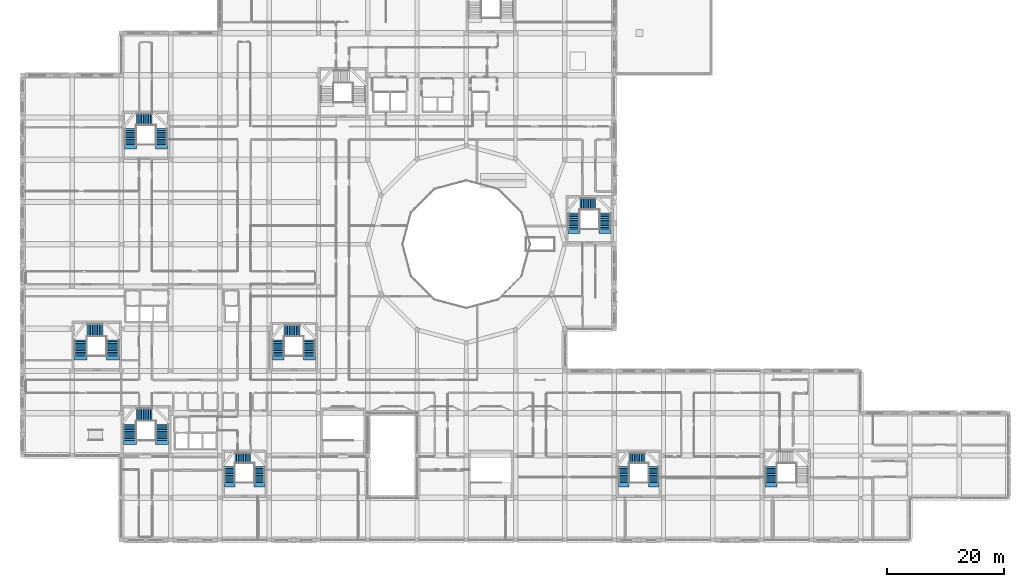
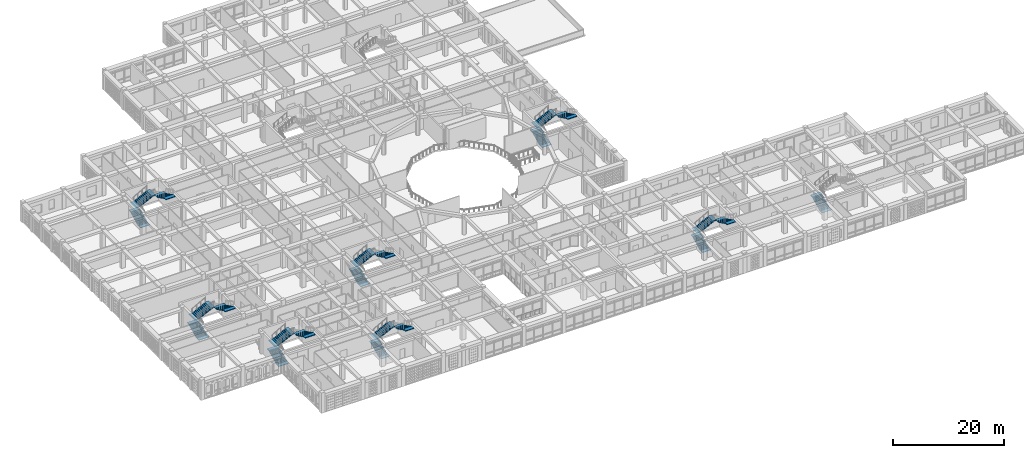
# One storey, part 88 of 121: 22 stair flights, 8 elements without a shape of their own.
"""IFC4 building model written with IfcOpenShell, lengths in metres."""

from ifc_helpers import new_model, si_unit, derived_unit, direction, frame, origin, place, context, subcontext, project, spatial, polyline, outline, extrude, material, type_object, element, aggregate, save


model = new_model("IFC4")

# Units and contexts
model_context = context("Model", 3, precision=1e-05, world=origin(), true_north=direction((0.0, 1.0)))
body_context = subcontext(model_context, "Body", "Model", "MODEL_VIEW")
ifc_project = project(units=[si_unit("LENGTHUNIT", "METRE"), si_unit("AREAUNIT", "SQUARE_METRE"), si_unit("VOLUMEUNIT", "CUBIC_METRE"), si_unit("PLANEANGLEUNIT", "RADIAN"), si_unit("MASSUNIT", "GRAM", prefix="KILO"), derived_unit("THERMALTRANSMITTANCEUNIT", [(si_unit("POWERUNIT", "WATT"), 1), (si_unit("LENGTHUNIT", "METRE"), -2), (si_unit("THERMODYNAMICTEMPERATUREUNIT", "KELVIN"), -1)])], contexts=[model_context])

# Site, building, storey
site_placement = place(None, origin())
site = spatial("IfcSite", under=ifc_project, at=site_placement, CompositionType="ELEMENT")
building_placement = place(site_placement, origin())
building = spatial("IfcBuilding", under=site, at=building_placement, Name="Veybourne Emporium", CompositionType="ELEMENT")
storey_placement = place(building_placement, frame((0.0, 0.0, 5.39990234375)))
storey = spatial("IfcBuildingStorey", under=building, at=storey_placement, Name="L01", CompositionType="ELEMENT", Elevation=5.39990234375)

# Stair, stair flights
ifc_material = material(Name="Concrete C32/40", Category="concrete")
stair_type_1 = type_object("IfcStairType", Name="Stair_ST-11-R30", PredefinedType="HALF_TURN_STAIR", material=ifc_material)
stair_1_placement = place(storey_placement, origin())
stair_1 = element("IfcStair", 1, at=stair_1_placement, inside=storey, type_object=stair_type_1, Name="L01 stair ST-11", PredefinedType="HALF_TURN_STAIR")
stair_flight_type_1 = type_object("IfcStairFlightType", Name="Flight_FL-1800-R10", PredefinedType="STRAIGHT", material=ifc_material)
stair_flight_1_placement = place(storey_placement, frame((102.449951171875, 9.800048828125, 0.0), z_axis=(0.0, 0.0, 1.0), x_axis=(0.0, 1.0, 0.0)))
stair_flight_1 = element("IfcStairFlight", 2, at=stair_flight_1_placement, type_object=stair_flight_type_1, Name="ST-11-R30 flight 1", NumberOfRisers=10, NumberOfTreads=9, PredefinedType="STRAIGHT", RiserHeight=0.15, TreadLength=0.3, context=body_context, shape_type="SweptSolid", body=[
    extrude(outline(polyline([(-0.75, 0.0), (-0.75, 0.080078125), (-0.375, 0.080078125), (0.0, 0.080078125), (0.0, 0.14990234375), (0.300048828125, 0.14990234375), (0.300048828125, 0.300048828125), (0.60009765625, 0.300048828125), (0.60009765625, 0.449951171875), (0.89990234375, 0.449951171875), (0.89990234375, 0.60009765625), (1.199951171875, 0.60009765625), (1.199951171875, 0.75), (1.5, 0.75), (1.5, 0.89990234375), (1.800048828125, 0.89990234375), (1.800048828125, 1.050048828125), (2.10009765625, 1.050048828125), (2.10009765625, 1.199951171875), (2.39990234375, 1.199951171875), (2.39990234375, 1.35009765625), (2.699951171875, 1.35009765625), (2.699951171875, 1.5), (3.074951171875, 1.5), (3.449951171875, 1.5), (3.449951171875, 1.340087890625), (3.074951171875, 1.340087890625), (2.699951171875, 1.171142578125), (0.357666015625, 0.0), (-0.75, 0.0)])), frame((0.0, 0.89990234375, 0.0), z_axis=(0.0, -1.0, 0.0), x_axis=(1.0, 0.0, 0.0)), (0.0, 0.0, 1.0), 1.800048828125),
])
stair_flight_2_placement = place(storey_placement, frame((103.35009765625, 14.0, 1.5), z_axis=(0.0, 0.0, 1.0), x_axis=(1.0, 0.0, 0.0)))
stair_flight_2 = element("IfcStairFlight", 3, at=stair_flight_2_placement, type_object=stair_flight_type_1, Name="ST-11-R30 flight 2", NumberOfRisers=10, NumberOfTreads=9, PredefinedType="STRAIGHT", RiserHeight=0.15, TreadLength=0.3, context=body_context, shape_type="SweptSolid", body=[
    extrude(outline(polyline([(-0.75, 0.0), (-0.75, 0.080078125), (-0.375, 0.080078125), (0.0, 0.080078125), (0.0, 0.14990234375), (0.300048828125, 0.14990234375), (0.300048828125, 0.300048828125), (0.60009765625, 0.300048828125), (0.60009765625, 0.449951171875), (0.89990234375, 0.449951171875), (0.89990234375, 0.60009765625), (1.199951171875, 0.60009765625), (1.199951171875, 0.75), (1.5, 0.75), (1.5, 0.89990234375), (1.800048828125, 0.89990234375), (1.800048828125, 1.050048828125), (2.10009765625, 1.050048828125), (2.10009765625, 1.199951171875), (2.39990234375, 1.199951171875), (2.39990234375, 1.35009765625), (2.699951171875, 1.35009765625), (2.699951171875, 1.5), (3.074951171875, 1.5), (3.449951171875, 1.5), (3.449951171875, 1.340087890625), (3.074951171875, 1.340087890625), (2.699951171875, 1.171142578125), (0.357666015625, 0.0), (-0.75, 0.0)])), frame((0.0, 0.89990234375, 0.0), z_axis=(0.0, -1.0, 0.0), x_axis=(1.0, 0.0, 0.0)), (0.0, 0.0, 1.0), 1.800048828125),
])
stair_flight_3_placement = place(storey_placement, frame((107.550048828125, 12.5, 3.0), z_axis=(0.0, 0.0, 1.0), x_axis=(0.0, -1.0, 0.0)))
stair_flight_3 = element("IfcStairFlight", 4, at=stair_flight_3_placement, type_object=stair_flight_type_1, Name="ST-11-R30 flight 3", NumberOfRisers=10, NumberOfTreads=9, PredefinedType="STRAIGHT", RiserHeight=0.15, TreadLength=0.3, context=body_context, shape_type="SweptSolid", body=[
    extrude(outline(polyline([(-0.75, 0.0), (-0.75, 0.080078125), (-0.375, 0.080078125), (0.0, 0.080078125), (0.0, 0.14990234375), (0.300048828125, 0.14990234375), (0.300048828125, 0.300048828125), (0.60009765625, 0.300048828125), (0.60009765625, 0.449951171875), (0.89990234375, 0.449951171875), (0.89990234375, 0.60009765625), (1.199951171875, 0.60009765625), (1.199951171875, 0.75), (1.5, 0.75), (1.5, 0.89990234375), (1.800048828125, 0.89990234375), (1.800048828125, 1.050048828125), (2.10009765625, 1.050048828125), (2.10009765625, 1.199951171875), (2.39990234375, 1.199951171875), (2.39990234375, 1.35009765625), (2.699951171875, 1.35009765625), (2.699951171875, 1.5), (3.074951171875, 1.5), (3.449951171875, 1.5), (3.449951171875, 1.340087890625), (3.074951171875, 1.340087890625), (2.699951171875, 1.171142578125), (0.357666015625, 0.0), (-0.75, 0.0)])), frame((0.0, 0.89990234375, 0.0), z_axis=(0.0, -1.0, 0.0), x_axis=(1.0, 0.0, 0.0)), (0.0, 0.0, 1.0), 1.800048828125),
])
aggregate(stair_1, [stair_flight_1, stair_flight_2, stair_flight_3])

stair_type_2 = type_object("IfcStairType", Name="Stair_ST-12-R30", PredefinedType="HALF_TURN_STAIR", material=ifc_material)
stair_2_placement = place(storey_placement, origin())
stair_2 = element("IfcStair", 5, at=stair_2_placement, inside=storey, type_object=stair_type_2, Name="L01 stair ST-12", PredefinedType="HALF_TURN_STAIR")
stair_flight_4_placement = place(storey_placement, frame((35.25, 9.800048828125, 0.0), z_axis=(0.0, 0.0, 1.0), x_axis=(0.0, 1.0, 0.0)))
stair_flight_4 = element("IfcStairFlight", 6, at=stair_flight_4_placement, type_object=stair_flight_type_1, Name="ST-12-R30 flight 1", NumberOfRisers=10, NumberOfTreads=9, PredefinedType="STRAIGHT", RiserHeight=0.15, TreadLength=0.3, context=body_context, shape_type="SweptSolid", body=[
    extrude(outline(polyline([(-0.75, 0.0), (-0.75, 0.080078125), (-0.375, 0.080078125), (0.0, 0.080078125), (0.0, 0.14990234375), (0.300048828125, 0.14990234375), (0.300048828125, 0.300048828125), (0.60009765625, 0.300048828125), (0.60009765625, 0.449951171875), (0.89990234375, 0.449951171875), (0.89990234375, 0.60009765625), (1.199951171875, 0.60009765625), (1.199951171875, 0.75), (1.5, 0.75), (1.5, 0.89990234375), (1.800048828125, 0.89990234375), (1.800048828125, 1.050048828125), (2.10009765625, 1.050048828125), (2.10009765625, 1.199951171875), (2.39990234375, 1.199951171875), (2.39990234375, 1.35009765625), (2.699951171875, 1.35009765625), (2.699951171875, 1.5), (3.074951171875, 1.5), (3.449951171875, 1.5), (3.449951171875, 1.340087890625), (3.074951171875, 1.340087890625), (2.699951171875, 1.171142578125), (0.357666015625, 0.0), (-0.75, 0.0)])), frame((0.0, 0.89990234375, 0.0), z_axis=(0.0, -1.0, 0.0), x_axis=(1.0, 0.0, 0.0)), (0.0, 0.0, 1.0), 1.800048828125),
])
stair_flight_5_placement = place(storey_placement, frame((36.14990234375, 14.0, 1.5), z_axis=(0.0, 0.0, 1.0), x_axis=(1.0, 0.0, 0.0)))
stair_flight_5 = element("IfcStairFlight", 7, at=stair_flight_5_placement, type_object=stair_flight_type_1, Name="ST-12-R30 flight 2", NumberOfRisers=10, NumberOfTreads=9, PredefinedType="STRAIGHT", RiserHeight=0.15, TreadLength=0.3, context=body_context, shape_type="SweptSolid", body=[
    extrude(outline(polyline([(-0.75, 0.0), (-0.75, 0.080078125), (-0.375, 0.080078125), (0.0, 0.080078125), (0.0, 0.14990234375), (0.300048828125, 0.14990234375), (0.300048828125, 0.300048828125), (0.60009765625, 0.300048828125), (0.60009765625, 0.449951171875), (0.89990234375, 0.449951171875), (0.89990234375, 0.60009765625), (1.199951171875, 0.60009765625), (1.199951171875, 0.75), (1.5, 0.75), (1.5, 0.89990234375), (1.800048828125, 0.89990234375), (1.800048828125, 1.050048828125), (2.10009765625, 1.050048828125), (2.10009765625, 1.199951171875), (2.39990234375, 1.199951171875), (2.39990234375, 1.35009765625), (2.699951171875, 1.35009765625), (2.699951171875, 1.5), (3.074951171875, 1.5), (3.449951171875, 1.5), (3.449951171875, 1.340087890625), (3.074951171875, 1.340087890625), (2.699951171875, 1.171142578125), (0.357666015625, 0.0), (-0.75, 0.0)])), frame((0.0, 0.89990234375, 0.0), z_axis=(0.0, -1.0, 0.0), x_axis=(1.0, 0.0, 0.0)), (0.0, 0.0, 1.0), 1.800048828125),
])
stair_flight_6_placement = place(storey_placement, frame((40.35009765625, 12.5, 3.0), z_axis=(0.0, 0.0, 1.0), x_axis=(0.0, -1.0, 0.0)))
stair_flight_6 = element("IfcStairFlight", 8, at=stair_flight_6_placement, type_object=stair_flight_type_1, Name="ST-12-R30 flight 3", NumberOfRisers=10, NumberOfTreads=9, PredefinedType="STRAIGHT", RiserHeight=0.15, TreadLength=0.3, context=body_context, shape_type="SweptSolid", body=[
    extrude(outline(polyline([(-0.75, 0.0), (-0.75, 0.080078125), (-0.375, 0.080078125), (0.0, 0.080078125), (0.0, 0.14990234375), (0.300048828125, 0.14990234375), (0.300048828125, 0.300048828125), (0.60009765625, 0.300048828125), (0.60009765625, 0.449951171875), (0.89990234375, 0.449951171875), (0.89990234375, 0.60009765625), (1.199951171875, 0.60009765625), (1.199951171875, 0.75), (1.5, 0.75), (1.5, 0.89990234375), (1.800048828125, 0.89990234375), (1.800048828125, 1.050048828125), (2.10009765625, 1.050048828125), (2.10009765625, 1.199951171875), (2.39990234375, 1.199951171875), (2.39990234375, 1.35009765625), (2.699951171875, 1.35009765625), (2.699951171875, 1.5), (3.074951171875, 1.5), (3.449951171875, 1.5), (3.449951171875, 1.340087890625), (3.074951171875, 1.340087890625), (2.699951171875, 1.171142578125), (0.357666015625, 0.0), (-0.75, 0.0)])), frame((0.0, 0.89990234375, 0.0), z_axis=(0.0, -1.0, 0.0), x_axis=(1.0, 0.0, 0.0)), (0.0, 0.0, 1.0), 1.800048828125),
])
aggregate(stair_2, [stair_flight_4, stair_flight_5, stair_flight_6])

stair_type_3 = type_object("IfcStairType", Name="Stair_ST-05-R30", PredefinedType="TWO_QUARTER_TURN_STAIR", material=ifc_material)
stair_3_placement = place(storey_placement, origin())
stair_3 = element("IfcStair", 9, at=stair_3_placement, inside=storey, type_object=stair_type_3, Name="L01 stair ST-05", PredefinedType="TWO_QUARTER_TURN_STAIR")
stair_flight_type_2 = type_object("IfcStairFlightType", Name="Flight_FL-2000-R10", PredefinedType="STRAIGHT", material=ifc_material)
stair_flight_7_placement = place(storey_placement, frame((43.550048828125, 31.39990234375, 0.0), z_axis=(0.0, 0.0, 1.0), x_axis=(0.0, 1.0, 0.0)))
stair_flight_7 = element("IfcStairFlight", 10, at=stair_flight_7_placement, type_object=stair_flight_type_2, Name="ST-05-R30 flight 1", NumberOfRisers=10, NumberOfTreads=9, PredefinedType="STRAIGHT", RiserHeight=0.15, TreadLength=0.3, context=body_context, shape_type="SweptSolid", body=[
    extrude(outline(polyline([(-0.75, 0.0), (-0.75, 0.080078125), (-0.375, 0.080078125), (0.0, 0.080078125), (0.0, 0.14990234375), (0.300048828125, 0.14990234375), (0.300048828125, 0.300048828125), (0.60009765625, 0.300048828125), (0.60009765625, 0.449951171875), (0.89990234375, 0.449951171875), (0.89990234375, 0.60009765625), (1.199951171875, 0.60009765625), (1.199951171875, 0.75), (1.5, 0.75), (1.5, 0.89990234375), (1.800048828125, 0.89990234375), (1.800048828125, 1.050048828125), (2.10009765625, 1.050048828125), (2.10009765625, 1.199951171875), (2.39990234375, 1.199951171875), (2.39990234375, 1.35009765625), (2.699951171875, 1.35009765625), (2.699951171875, 1.5), (3.074951171875, 1.5), (3.449951171875, 1.5), (3.449951171875, 1.340087890625), (3.074951171875, 1.340087890625), (2.699951171875, 1.171142578125), (0.357666015625, 0.0), (-0.75, 0.0)])), frame((0.0, 1.0, 0.0), z_axis=(0.0, -1.0, 0.0), x_axis=(1.0, 0.0, 0.0)), (0.0, 0.0, 1.0), 2.0),
])
stair_flight_8_placement = place(storey_placement, frame((44.550048828125, 35.699951171875, 1.5), z_axis=(0.0, 0.0, 1.0), x_axis=(1.0, 0.0, 0.0)))
stair_flight_8 = element("IfcStairFlight", 11, at=stair_flight_8_placement, type_object=stair_flight_type_2, Name="ST-05-R30 flight 2", NumberOfRisers=10, NumberOfTreads=9, PredefinedType="STRAIGHT", RiserHeight=0.15, TreadLength=0.3, context=body_context, shape_type="SweptSolid", body=[
    extrude(outline(polyline([(-0.75, 0.0), (-0.75, 0.080078125), (-0.375, 0.080078125), (0.0, 0.080078125), (0.0, 0.14990234375), (0.300048828125, 0.14990234375), (0.300048828125, 0.300048828125), (0.60009765625, 0.300048828125), (0.60009765625, 0.449951171875), (0.89990234375, 0.449951171875), (0.89990234375, 0.60009765625), (1.199951171875, 0.60009765625), (1.199951171875, 0.75), (1.5, 0.75), (1.5, 0.89990234375), (1.800048828125, 0.89990234375), (1.800048828125, 1.050048828125), (2.10009765625, 1.050048828125), (2.10009765625, 1.199951171875), (2.39990234375, 1.199951171875), (2.39990234375, 1.35009765625), (2.699951171875, 1.35009765625), (2.699951171875, 1.5), (3.074951171875, 1.5), (3.449951171875, 1.5), (3.449951171875, 1.340087890625), (3.074951171875, 1.340087890625), (2.699951171875, 1.171142578125), (0.357666015625, 0.0), (-0.75, 0.0)])), frame((0.0, 1.0, 0.0), z_axis=(0.0, -1.0, 0.0), x_axis=(1.0, 0.0, 0.0)), (0.0, 0.0, 1.0), 2.0),
])
stair_flight_9_placement = place(storey_placement, frame((48.85009765625, 34.10009765625, 3.0), z_axis=(0.0, 0.0, 1.0), x_axis=(0.0, -1.0, 0.0)))
stair_flight_9 = element("IfcStairFlight", 12, at=stair_flight_9_placement, type_object=stair_flight_type_2, Name="ST-05-R30 flight 3", NumberOfRisers=10, NumberOfTreads=9, PredefinedType="STRAIGHT", RiserHeight=0.15, TreadLength=0.3, context=body_context, shape_type="SweptSolid", body=[
    extrude(outline(polyline([(-0.75, 0.0), (-0.75, 0.080078125), (-0.375, 0.080078125), (0.0, 0.080078125), (0.0, 0.14990234375), (0.300048828125, 0.14990234375), (0.300048828125, 0.300048828125), (0.60009765625, 0.300048828125), (0.60009765625, 0.449951171875), (0.89990234375, 0.449951171875), (0.89990234375, 0.60009765625), (1.199951171875, 0.60009765625), (1.199951171875, 0.75), (1.5, 0.75), (1.5, 0.89990234375), (1.800048828125, 0.89990234375), (1.800048828125, 1.050048828125), (2.10009765625, 1.050048828125), (2.10009765625, 1.199951171875), (2.39990234375, 1.199951171875), (2.39990234375, 1.35009765625), (2.699951171875, 1.35009765625), (2.699951171875, 1.5), (3.074951171875, 1.5), (3.449951171875, 1.5), (3.449951171875, 1.340087890625), (3.074951171875, 1.340087890625), (2.699951171875, 1.171142578125), (0.357666015625, 0.0), (-0.75, 0.0)])), frame((0.0, 1.0, 0.0), z_axis=(0.0, -1.0, 0.0), x_axis=(1.0, 0.0, 0.0)), (0.0, 0.0, 1.0), 2.0),
])
aggregate(stair_3, [stair_flight_7, stair_flight_8, stair_flight_9])

# Stair, stair flight
stair_type_4 = type_object("IfcStairType", Name="Stair_ST-06-R30", PredefinedType="TWO_QUARTER_TURN_STAIR", material=ifc_material)
stair_4_placement = place(storey_placement, origin())
stair_4 = element("IfcStair", 13, at=stair_4_placement, inside=storey, type_object=stair_type_4, Name="L01 stair ST-06", PredefinedType="TWO_QUARTER_TURN_STAIR")
stair_flight_10_placement = place(storey_placement, frame((127.550048828125, 9.800048828125, 0.0), z_axis=(0.0, 0.0, 1.0), x_axis=(0.0, 1.0, 0.0)))
stair_flight_10 = element("IfcStairFlight", 14, at=stair_flight_10_placement, type_object=stair_flight_type_2, Name="ST-06-R30 flight 1", NumberOfRisers=10, NumberOfTreads=9, PredefinedType="STRAIGHT", RiserHeight=0.15, TreadLength=0.3, context=body_context, shape_type="SweptSolid", body=[
    extrude(outline(polyline([(-0.75, 0.0), (-0.75, 0.080078125), (-0.375, 0.080078125), (0.0, 0.080078125), (0.0, 0.14990234375), (0.300048828125, 0.14990234375), (0.300048828125, 0.300048828125), (0.60009765625, 0.300048828125), (0.60009765625, 0.449951171875), (0.89990234375, 0.449951171875), (0.89990234375, 0.60009765625), (1.199951171875, 0.60009765625), (1.199951171875, 0.75), (1.5, 0.75), (1.5, 0.89990234375), (1.800048828125, 0.89990234375), (1.800048828125, 1.050048828125), (2.10009765625, 1.050048828125), (2.10009765625, 1.199951171875), (2.39990234375, 1.199951171875), (2.39990234375, 1.35009765625), (2.699951171875, 1.35009765625), (2.699951171875, 1.5), (3.074951171875, 1.5), (3.449951171875, 1.5), (3.449951171875, 1.340087890625), (3.074951171875, 1.340087890625), (2.699951171875, 1.171142578125), (0.357666015625, 0.0), (-0.75, 0.0)])), frame((0.0, 1.0, 0.0), z_axis=(0.0, -1.0, 0.0), x_axis=(1.0, 0.0, 0.0)), (0.0, 0.0, 1.0), 2.0),
])
aggregate(stair_4, [stair_flight_10])

# Stair, stair flights
stair_type_5 = type_object("IfcStairType", Name="Stair_ST-07-R30", PredefinedType="TWO_QUARTER_TURN_STAIR", material=ifc_material)
stair_5_placement = place(storey_placement, origin())
stair_5 = element("IfcStair", 15, at=stair_5_placement, inside=storey, type_object=stair_type_5, Name="L01 stair ST-07", PredefinedType="TWO_QUARTER_TURN_STAIR")
stair_flight_11_placement = place(storey_placement, frame((93.949951171875, 53.0, 0.0), z_axis=(0.0, 0.0, 1.0), x_axis=(0.0, 1.0, 0.0)))
stair_flight_11 = element("IfcStairFlight", 16, at=stair_flight_11_placement, type_object=stair_flight_type_2, Name="ST-07-R30 flight 1", NumberOfRisers=10, NumberOfTreads=9, PredefinedType="STRAIGHT", RiserHeight=0.15, TreadLength=0.3, context=body_context, shape_type="SweptSolid", body=[
    extrude(outline(polyline([(-0.75, 0.0), (-0.75, 0.080078125), (-0.375, 0.080078125), (0.0, 0.080078125), (0.0, 0.14990234375), (0.300048828125, 0.14990234375), (0.300048828125, 0.300048828125), (0.60009765625, 0.300048828125), (0.60009765625, 0.449951171875), (0.89990234375, 0.449951171875), (0.89990234375, 0.60009765625), (1.199951171875, 0.60009765625), (1.199951171875, 0.75), (1.5, 0.75), (1.5, 0.89990234375), (1.800048828125, 0.89990234375), (1.800048828125, 1.050048828125), (2.10009765625, 1.050048828125), (2.10009765625, 1.199951171875), (2.39990234375, 1.199951171875), (2.39990234375, 1.35009765625), (2.699951171875, 1.35009765625), (2.699951171875, 1.5), (3.074951171875, 1.5), (3.449951171875, 1.5), (3.449951171875, 1.340087890625), (3.074951171875, 1.340087890625), (2.699951171875, 1.171142578125), (0.357666015625, 0.0), (-0.75, 0.0)])), frame((0.0, 1.0, 0.0), z_axis=(0.0, -1.0, 0.0), x_axis=(1.0, 0.0, 0.0)), (0.0, 0.0, 1.0), 2.0),
])
stair_flight_12_placement = place(storey_placement, frame((94.949951171875, 57.300048828125, 1.5), z_axis=(0.0, 0.0, 1.0), x_axis=(1.0, 0.0, 0.0)))
stair_flight_12 = element("IfcStairFlight", 17, at=stair_flight_12_placement, type_object=stair_flight_type_2, Name="ST-07-R30 flight 2", NumberOfRisers=10, NumberOfTreads=9, PredefinedType="STRAIGHT", RiserHeight=0.15, TreadLength=0.3, context=body_context, shape_type="SweptSolid", body=[
    extrude(outline(polyline([(-0.75, 0.0), (-0.75, 0.080078125), (-0.375, 0.080078125), (0.0, 0.080078125), (0.0, 0.14990234375), (0.300048828125, 0.14990234375), (0.300048828125, 0.300048828125), (0.60009765625, 0.300048828125), (0.60009765625, 0.449951171875), (0.89990234375, 0.449951171875), (0.89990234375, 0.60009765625), (1.199951171875, 0.60009765625), (1.199951171875, 0.75), (1.5, 0.75), (1.5, 0.89990234375), (1.800048828125, 0.89990234375), (1.800048828125, 1.050048828125), (2.10009765625, 1.050048828125), (2.10009765625, 1.199951171875), (2.39990234375, 1.199951171875), (2.39990234375, 1.35009765625), (2.699951171875, 1.35009765625), (2.699951171875, 1.5), (3.074951171875, 1.5), (3.449951171875, 1.5), (3.449951171875, 1.340087890625), (3.074951171875, 1.340087890625), (2.699951171875, 1.171142578125), (0.357666015625, 0.0), (-0.75, 0.0)])), frame((0.0, 1.0, 0.0), z_axis=(0.0, -1.0, 0.0), x_axis=(1.0, 0.0, 0.0)), (0.0, 0.0, 1.0), 2.0),
])
stair_flight_13_placement = place(storey_placement, frame((99.25, 55.699951171875, 3.0), z_axis=(0.0, 0.0, 1.0), x_axis=(0.0, -1.0, 0.0)))
stair_flight_13 = element("IfcStairFlight", 18, at=stair_flight_13_placement, type_object=stair_flight_type_2, Name="ST-07-R30 flight 3", NumberOfRisers=10, NumberOfTreads=9, PredefinedType="STRAIGHT", RiserHeight=0.15, TreadLength=0.3, context=body_context, shape_type="SweptSolid", body=[
    extrude(outline(polyline([(-0.75, 0.0), (-0.75, 0.080078125), (-0.375, 0.080078125), (0.0, 0.080078125), (0.0, 0.14990234375), (0.300048828125, 0.14990234375), (0.300048828125, 0.300048828125), (0.60009765625, 0.300048828125), (0.60009765625, 0.449951171875), (0.89990234375, 0.449951171875), (0.89990234375, 0.60009765625), (1.199951171875, 0.60009765625), (1.199951171875, 0.75), (1.5, 0.75), (1.5, 0.89990234375), (1.800048828125, 0.89990234375), (1.800048828125, 1.050048828125), (2.10009765625, 1.050048828125), (2.10009765625, 1.199951171875), (2.39990234375, 1.199951171875), (2.39990234375, 1.35009765625), (2.699951171875, 1.35009765625), (2.699951171875, 1.5), (3.074951171875, 1.5), (3.449951171875, 1.5), (3.449951171875, 1.340087890625), (3.074951171875, 1.340087890625), (2.699951171875, 1.171142578125), (0.357666015625, 0.0), (-0.75, 0.0)])), frame((0.0, 1.0, 0.0), z_axis=(0.0, -1.0, 0.0), x_axis=(1.0, 0.0, 0.0)), (0.0, 0.0, 1.0), 2.0),
])
aggregate(stair_5, [stair_flight_11, stair_flight_12, stair_flight_13])

stair_type_6 = type_object("IfcStairType", Name="Stair_ST-08-R30", PredefinedType="TWO_QUARTER_TURN_STAIR", material=ifc_material)
stair_6_placement = place(storey_placement, origin())
stair_6 = element("IfcStair", 19, at=stair_6_placement, inside=storey, type_object=stair_type_6, Name="L01 stair ST-08", PredefinedType="TWO_QUARTER_TURN_STAIR")
stair_flight_14_placement = place(storey_placement, frame((18.35009765625, 67.39990234375, 0.0), z_axis=(0.0, 0.0, 1.0), x_axis=(0.0, 1.0, 0.0)))
stair_flight_14 = element("IfcStairFlight", 20, at=stair_flight_14_placement, type_object=stair_flight_type_2, Name="ST-08-R30 flight 1", NumberOfRisers=10, NumberOfTreads=9, PredefinedType="STRAIGHT", RiserHeight=0.15, TreadLength=0.3, context=body_context, shape_type="SweptSolid", body=[
    extrude(outline(polyline([(-0.75, 0.0), (-0.75, 0.080078125), (-0.375, 0.080078125), (0.0, 0.080078125), (0.0, 0.14990234375), (0.300048828125, 0.14990234375), (0.300048828125, 0.300048828125), (0.60009765625, 0.300048828125), (0.60009765625, 0.449951171875), (0.89990234375, 0.449951171875), (0.89990234375, 0.60009765625), (1.199951171875, 0.60009765625), (1.199951171875, 0.75), (1.5, 0.75), (1.5, 0.89990234375), (1.800048828125, 0.89990234375), (1.800048828125, 1.050048828125), (2.10009765625, 1.050048828125), (2.10009765625, 1.199951171875), (2.39990234375, 1.199951171875), (2.39990234375, 1.35009765625), (2.699951171875, 1.35009765625), (2.699951171875, 1.5), (3.074951171875, 1.5), (3.449951171875, 1.5), (3.449951171875, 1.340087890625), (3.074951171875, 1.340087890625), (2.699951171875, 1.171142578125), (0.357666015625, 0.0), (-0.75, 0.0)])), frame((0.0, 1.0, 0.0), z_axis=(0.0, -1.0, 0.0), x_axis=(1.0, 0.0, 0.0)), (0.0, 0.0, 1.0), 2.0),
])
stair_flight_15_placement = place(storey_placement, frame((19.35009765625, 71.699951171875, 1.5), z_axis=(0.0, 0.0, 1.0), x_axis=(1.0, 0.0, 0.0)))
stair_flight_15 = element("IfcStairFlight", 21, at=stair_flight_15_placement, type_object=stair_flight_type_2, Name="ST-08-R30 flight 2", NumberOfRisers=10, NumberOfTreads=9, PredefinedType="STRAIGHT", RiserHeight=0.15, TreadLength=0.3, context=body_context, shape_type="SweptSolid", body=[
    extrude(outline(polyline([(-0.75, 0.0), (-0.75, 0.080078125), (-0.375, 0.080078125), (0.0, 0.080078125), (0.0, 0.14990234375), (0.300048828125, 0.14990234375), (0.300048828125, 0.300048828125), (0.60009765625, 0.300048828125), (0.60009765625, 0.449951171875), (0.89990234375, 0.449951171875), (0.89990234375, 0.60009765625), (1.199951171875, 0.60009765625), (1.199951171875, 0.75), (1.5, 0.75), (1.5, 0.89990234375), (1.800048828125, 0.89990234375), (1.800048828125, 1.050048828125), (2.10009765625, 1.050048828125), (2.10009765625, 1.199951171875), (2.39990234375, 1.199951171875), (2.39990234375, 1.35009765625), (2.699951171875, 1.35009765625), (2.699951171875, 1.5), (3.074951171875, 1.5), (3.449951171875, 1.5), (3.449951171875, 1.340087890625), (3.074951171875, 1.340087890625), (2.699951171875, 1.171142578125), (0.357666015625, 0.0), (-0.75, 0.0)])), frame((0.0, 1.0, 0.0), z_axis=(0.0, -1.0, 0.0), x_axis=(1.0, 0.0, 0.0)), (0.0, 0.0, 1.0), 2.0),
])
stair_flight_16_placement = place(storey_placement, frame((23.64990234375, 70.10009765625, 3.0), z_axis=(0.0, 0.0, 1.0), x_axis=(0.0, -1.0, 0.0)))
stair_flight_16 = element("IfcStairFlight", 22, at=stair_flight_16_placement, type_object=stair_flight_type_2, Name="ST-08-R30 flight 3", NumberOfRisers=10, NumberOfTreads=9, PredefinedType="STRAIGHT", RiserHeight=0.15, TreadLength=0.3, context=body_context, shape_type="SweptSolid", body=[
    extrude(outline(polyline([(-0.75, 0.0), (-0.75, 0.080078125), (-0.375, 0.080078125), (0.0, 0.080078125), (0.0, 0.14990234375), (0.300048828125, 0.14990234375), (0.300048828125, 0.300048828125), (0.60009765625, 0.300048828125), (0.60009765625, 0.449951171875), (0.89990234375, 0.449951171875), (0.89990234375, 0.60009765625), (1.199951171875, 0.60009765625), (1.199951171875, 0.75), (1.5, 0.75), (1.5, 0.89990234375), (1.800048828125, 0.89990234375), (1.800048828125, 1.050048828125), (2.10009765625, 1.050048828125), (2.10009765625, 1.199951171875), (2.39990234375, 1.199951171875), (2.39990234375, 1.35009765625), (2.699951171875, 1.35009765625), (2.699951171875, 1.5), (3.074951171875, 1.5), (3.449951171875, 1.5), (3.449951171875, 1.340087890625), (3.074951171875, 1.340087890625), (2.699951171875, 1.171142578125), (0.357666015625, 0.0), (-0.75, 0.0)])), frame((0.0, 1.0, 0.0), z_axis=(0.0, -1.0, 0.0), x_axis=(1.0, 0.0, 0.0)), (0.0, 0.0, 1.0), 2.0),
])
aggregate(stair_6, [stair_flight_14, stair_flight_15, stair_flight_16])

stair_type_7 = type_object("IfcStairType", Name="Stair_ST-01-R30", PredefinedType="TWO_QUARTER_TURN_STAIR", material=ifc_material)
stair_7_placement = place(storey_placement, origin())
stair_7 = element("IfcStair", 23, at=stair_7_placement, inside=storey, type_object=stair_type_7, Name="L01 stair ST-01", PredefinedType="TWO_QUARTER_TURN_STAIR")
stair_flight_type_3 = type_object("IfcStairFlightType", Name="Flight_FL-2200-R10", PredefinedType="STRAIGHT", material=ifc_material)
stair_flight_17_placement = place(storey_placement, frame((18.25, 17.0, 0.0), z_axis=(0.0, 0.0, 1.0), x_axis=(0.0, 1.0, 0.0)))
stair_flight_17 = element("IfcStairFlight", 24, at=stair_flight_17_placement, type_object=stair_flight_type_3, Name="ST-01-R30 flight 1", NumberOfRisers=10, NumberOfTreads=9, PredefinedType="STRAIGHT", RiserHeight=0.15, TreadLength=0.3, context=body_context, shape_type="SweptSolid", body=[
    extrude(outline(polyline([(-0.75, 0.0), (-0.75, 0.080078125), (-0.375, 0.080078125), (0.0, 0.080078125), (0.0, 0.14990234375), (0.300048828125, 0.14990234375), (0.300048828125, 0.300048828125), (0.60009765625, 0.300048828125), (0.60009765625, 0.449951171875), (0.89990234375, 0.449951171875), (0.89990234375, 0.60009765625), (1.199951171875, 0.60009765625), (1.199951171875, 0.75), (1.5, 0.75), (1.5, 0.89990234375), (1.800048828125, 0.89990234375), (1.800048828125, 1.050048828125), (2.10009765625, 1.050048828125), (2.10009765625, 1.199951171875), (2.39990234375, 1.199951171875), (2.39990234375, 1.35009765625), (2.699951171875, 1.35009765625), (2.699951171875, 1.5), (3.074951171875, 1.5), (3.449951171875, 1.5), (3.449951171875, 1.340087890625), (3.074951171875, 1.340087890625), (2.699951171875, 1.171142578125), (0.357666015625, 0.0), (-0.75, 0.0)])), frame((0.0, 1.10009765625, 0.0), z_axis=(0.0, -1.0, 0.0), x_axis=(1.0, 0.0, 0.0)), (0.0, 0.0, 1.0), 2.199951171875),
])
stair_flight_18_placement = place(storey_placement, frame((19.35009765625, 21.39990234375, 1.5), z_axis=(0.0, 0.0, 1.0), x_axis=(1.0, 0.0, 0.0)))
stair_flight_18 = element("IfcStairFlight", 25, at=stair_flight_18_placement, type_object=stair_flight_type_3, Name="ST-01-R30 flight 2", NumberOfRisers=10, NumberOfTreads=9, PredefinedType="STRAIGHT", RiserHeight=0.15, TreadLength=0.3, context=body_context, shape_type="SweptSolid", body=[
    extrude(outline(polyline([(-0.75, 0.0), (-0.75, 0.080078125), (-0.375, 0.080078125), (0.0, 0.080078125), (0.0, 0.14990234375), (0.300048828125, 0.14990234375), (0.300048828125, 0.300048828125), (0.60009765625, 0.300048828125), (0.60009765625, 0.449951171875), (0.89990234375, 0.449951171875), (0.89990234375, 0.60009765625), (1.199951171875, 0.60009765625), (1.199951171875, 0.75), (1.5, 0.75), (1.5, 0.89990234375), (1.800048828125, 0.89990234375), (1.800048828125, 1.050048828125), (2.10009765625, 1.050048828125), (2.10009765625, 1.199951171875), (2.39990234375, 1.199951171875), (2.39990234375, 1.35009765625), (2.699951171875, 1.35009765625), (2.699951171875, 1.5), (3.074951171875, 1.5), (3.449951171875, 1.5), (3.449951171875, 1.340087890625), (3.074951171875, 1.340087890625), (2.699951171875, 1.171142578125), (0.357666015625, 0.0), (-0.75, 0.0)])), frame((0.0, 1.10009765625, 0.0), z_axis=(0.0, -1.0, 0.0), x_axis=(1.0, 0.0, 0.0)), (0.0, 0.0, 1.0), 2.199951171875),
])
stair_flight_19_placement = place(storey_placement, frame((23.75, 19.699951171875, 3.0), z_axis=(0.0, 0.0, 1.0), x_axis=(0.0, -1.0, 0.0)))
stair_flight_19 = element("IfcStairFlight", 26, at=stair_flight_19_placement, type_object=stair_flight_type_3, Name="ST-01-R30 flight 3", NumberOfRisers=10, NumberOfTreads=9, PredefinedType="STRAIGHT", RiserHeight=0.15, TreadLength=0.3, context=body_context, shape_type="SweptSolid", body=[
    extrude(outline(polyline([(-0.75, 0.0), (-0.75, 0.080078125), (-0.375, 0.080078125), (0.0, 0.080078125), (0.0, 0.14990234375), (0.300048828125, 0.14990234375), (0.300048828125, 0.300048828125), (0.60009765625, 0.300048828125), (0.60009765625, 0.449951171875), (0.89990234375, 0.449951171875), (0.89990234375, 0.60009765625), (1.199951171875, 0.60009765625), (1.199951171875, 0.75), (1.5, 0.75), (1.5, 0.89990234375), (1.800048828125, 0.89990234375), (1.800048828125, 1.050048828125), (2.10009765625, 1.050048828125), (2.10009765625, 1.199951171875), (2.39990234375, 1.199951171875), (2.39990234375, 1.35009765625), (2.699951171875, 1.35009765625), (2.699951171875, 1.5), (3.074951171875, 1.5), (3.449951171875, 1.5), (3.449951171875, 1.340087890625), (3.074951171875, 1.340087890625), (2.699951171875, 1.171142578125), (0.357666015625, 0.0), (-0.75, 0.0)])), frame((0.0, 1.10009765625, 0.0), z_axis=(0.0, -1.0, 0.0), x_axis=(1.0, 0.0, 0.0)), (0.0, 0.0, 1.0), 2.199951171875),
])
aggregate(stair_7, [stair_flight_17, stair_flight_18, stair_flight_19])

stair_type_8 = type_object("IfcStairType", Name="Stair_ST-02-R30", PredefinedType="TWO_QUARTER_TURN_STAIR", material=ifc_material)
stair_8_placement = place(storey_placement, origin())
stair_8 = element("IfcStair", 27, at=stair_8_placement, inside=storey, type_object=stair_type_8, Name="L01 stair ST-02", PredefinedType="TWO_QUARTER_TURN_STAIR")
stair_flight_20_placement = place(storey_placement, frame((9.85009765625, 31.39990234375, 0.0), z_axis=(0.0, 0.0, 1.0), x_axis=(0.0, 1.0, 0.0)))
stair_flight_20 = element("IfcStairFlight", 28, at=stair_flight_20_placement, type_object=stair_flight_type_3, Name="ST-02-R30 flight 1", NumberOfRisers=10, NumberOfTreads=9, PredefinedType="STRAIGHT", RiserHeight=0.15, TreadLength=0.3, context=body_context, shape_type="SweptSolid", body=[
    extrude(outline(polyline([(-0.75, 0.0), (-0.75, 0.080078125), (-0.375, 0.080078125), (0.0, 0.080078125), (0.0, 0.14990234375), (0.300048828125, 0.14990234375), (0.300048828125, 0.300048828125), (0.60009765625, 0.300048828125), (0.60009765625, 0.449951171875), (0.89990234375, 0.449951171875), (0.89990234375, 0.60009765625), (1.199951171875, 0.60009765625), (1.199951171875, 0.75), (1.5, 0.75), (1.5, 0.89990234375), (1.800048828125, 0.89990234375), (1.800048828125, 1.050048828125), (2.10009765625, 1.050048828125), (2.10009765625, 1.199951171875), (2.39990234375, 1.199951171875), (2.39990234375, 1.35009765625), (2.699951171875, 1.35009765625), (2.699951171875, 1.5), (3.074951171875, 1.5), (3.449951171875, 1.5), (3.449951171875, 1.340087890625), (3.074951171875, 1.340087890625), (2.699951171875, 1.171142578125), (0.357666015625, 0.0), (-0.75, 0.0)])), frame((0.0, 1.10009765625, 0.0), z_axis=(0.0, -1.0, 0.0), x_axis=(1.0, 0.0, 0.0)), (0.0, 0.0, 1.0), 2.199951171875),
])
stair_flight_21_placement = place(storey_placement, frame((10.949951171875, 35.800048828125, 1.5), z_axis=(0.0, 0.0, 1.0), x_axis=(1.0, 0.0, 0.0)))
stair_flight_21 = element("IfcStairFlight", 29, at=stair_flight_21_placement, type_object=stair_flight_type_3, Name="ST-02-R30 flight 2", NumberOfRisers=10, NumberOfTreads=9, PredefinedType="STRAIGHT", RiserHeight=0.15, TreadLength=0.3, context=body_context, shape_type="SweptSolid", body=[
    extrude(outline(polyline([(-0.75, 0.0), (-0.75, 0.080078125), (-0.375, 0.080078125), (0.0, 0.080078125), (0.0, 0.14990234375), (0.300048828125, 0.14990234375), (0.300048828125, 0.300048828125), (0.60009765625, 0.300048828125), (0.60009765625, 0.449951171875), (0.89990234375, 0.449951171875), (0.89990234375, 0.60009765625), (1.199951171875, 0.60009765625), (1.199951171875, 0.75), (1.5, 0.75), (1.5, 0.89990234375), (1.800048828125, 0.89990234375), (1.800048828125, 1.050048828125), (2.10009765625, 1.050048828125), (2.10009765625, 1.199951171875), (2.39990234375, 1.199951171875), (2.39990234375, 1.35009765625), (2.699951171875, 1.35009765625), (2.699951171875, 1.5), (3.074951171875, 1.5), (3.449951171875, 1.5), (3.449951171875, 1.340087890625), (3.074951171875, 1.340087890625), (2.699951171875, 1.171142578125), (0.357666015625, 0.0), (-0.75, 0.0)])), frame((0.0, 1.10009765625, 0.0), z_axis=(0.0, -1.0, 0.0), x_axis=(1.0, 0.0, 0.0)), (0.0, 0.0, 1.0), 2.199951171875),
])
stair_flight_22_placement = place(storey_placement, frame((15.35009765625, 34.10009765625, 3.0), z_axis=(0.0, 0.0, 1.0), x_axis=(0.0, -1.0, 0.0)))
stair_flight_22 = element("IfcStairFlight", 30, at=stair_flight_22_placement, type_object=stair_flight_type_3, Name="ST-02-R30 flight 3", NumberOfRisers=10, NumberOfTreads=9, PredefinedType="STRAIGHT", RiserHeight=0.15, TreadLength=0.3, context=body_context, shape_type="SweptSolid", body=[
    extrude(outline(polyline([(-0.75, 0.0), (-0.75, 0.080078125), (-0.375, 0.080078125), (0.0, 0.080078125), (0.0, 0.14990234375), (0.300048828125, 0.14990234375), (0.300048828125, 0.300048828125), (0.60009765625, 0.300048828125), (0.60009765625, 0.449951171875), (0.89990234375, 0.449951171875), (0.89990234375, 0.60009765625), (1.199951171875, 0.60009765625), (1.199951171875, 0.75), (1.5, 0.75), (1.5, 0.89990234375), (1.800048828125, 0.89990234375), (1.800048828125, 1.050048828125), (2.10009765625, 1.050048828125), (2.10009765625, 1.199951171875), (2.39990234375, 1.199951171875), (2.39990234375, 1.35009765625), (2.699951171875, 1.35009765625), (2.699951171875, 1.5), (3.074951171875, 1.5), (3.449951171875, 1.5), (3.449951171875, 1.340087890625), (3.074951171875, 1.340087890625), (2.699951171875, 1.171142578125), (0.357666015625, 0.0), (-0.75, 0.0)])), frame((0.0, 1.10009765625, 0.0), z_axis=(0.0, -1.0, 0.0), x_axis=(1.0, 0.0, 0.0)), (0.0, 0.0, 1.0), 2.199951171875),
])
aggregate(stair_8, [stair_flight_20, stair_flight_21, stair_flight_22])

save(model, "model.ifc")
